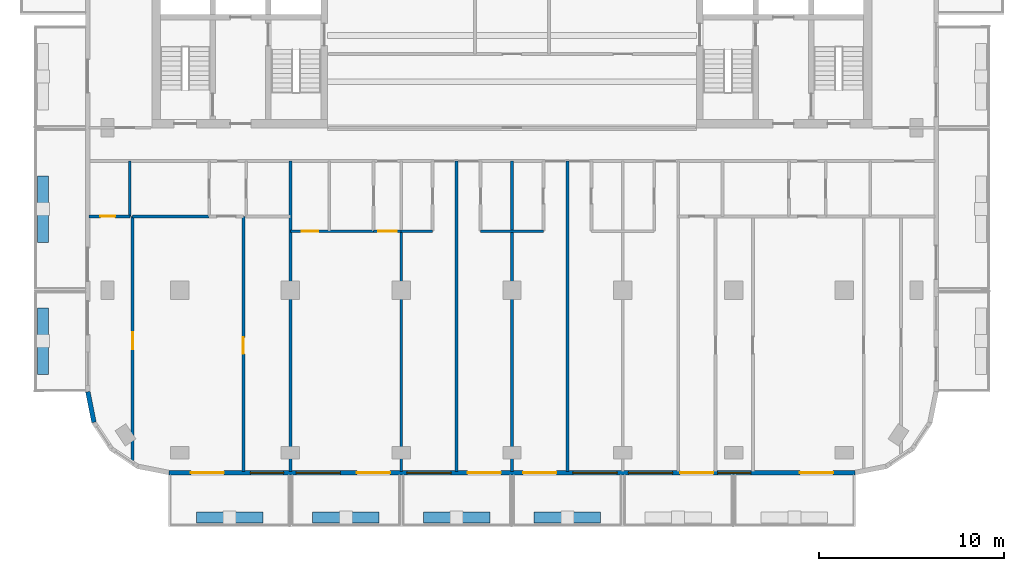
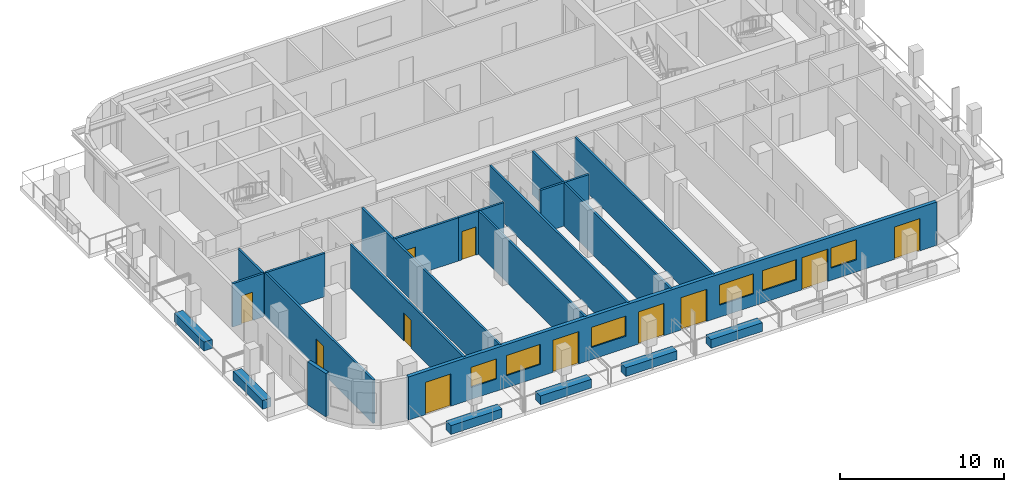
# One storey, part 2 of 11: 22 walls, 11 doors, 6 windows, 17 openings.
"""IFC4 building model written with IfcOpenShell, lengths in metres."""

from ifc_helpers import new_model, si_unit, direction, frame, frame_2d, origin, place, context, subcontext, project, spatial, rectangle, extrude, material, layer, layer_set, type_object, element, fill, save


model = new_model("IFC4")

# Units and contexts
model_context = context("Model", 3, precision=1e-05, world=origin(), true_north=direction((0.0, 1.0)))
body_context = subcontext(model_context, "Body", "Model", "MODEL_VIEW")
ifc_project = project(units=[si_unit("LENGTHUNIT", "METRE"), si_unit("AREAUNIT", "SQUARE_METRE"), si_unit("VOLUMEUNIT", "CUBIC_METRE"), si_unit("PLANEANGLEUNIT", "RADIAN"), si_unit("MASSUNIT", "GRAM", prefix="KILO")], contexts=[model_context])

# Site, building, storey
site_placement = place(None, origin())
site = spatial("IfcSite", under=ifc_project, at=site_placement, CompositionType="ELEMENT")
building_placement = place(site_placement, origin())
building = spatial("IfcBuilding", under=site, at=building_placement, Name="Torana Hotel and Residences", CompositionType="ELEMENT")
storey_placement = place(building_placement, frame((0.0, 0.0, 256.10009765625)))
storey = spatial("IfcBuildingStorey", under=building, at=storey_placement, Name="L67", CompositionType="ELEMENT", Elevation=256.10009765625)

# Wall
ifc_material_1 = material(Name="Black aluminium composite panel", Category="aluminium")
ifc_layer_1 = layer(ifc_material_1, 0.00390625, Name="Cladding", Category="cladding")
ifc_material_2 = material(Name="Ventilated air cavity")
ifc_layer_2 = layer(ifc_material_2, 0.0400390625, Name="Ventilated cavity", Category="cavity")
ifc_material_3 = material(Name="Mineral wool insulation")
ifc_layer_3 = layer(ifc_material_3, 0.090087890625, Name="Insulation", Category="insulation")
ifc_material_4 = material(Name="Steel S280GD", Category="steel")
ifc_layer_4 = layer(ifc_material_4, 0.092041015625, Name="Steel stud frame", Category="structure")
ifc_material_5 = material(Name="Fire rated plasterboard")
ifc_layer_5 = layer(ifc_material_5, 0.011962890625, Name="Inner board", Category="finish")
ifc_layer_6 = layer(ifc_material_5, 0.011962890625, Name="Second board", Category="finish")
ifc_layer_set_1 = layer_set([ifc_layer_1, ifc_layer_2, ifc_layer_3, ifc_layer_4, ifc_layer_5, ifc_layer_6], Name="EW1 EXTERNAL WALL BLACK METAL CLAD 250")
wall_type_1 = type_object("IfcWallType", Name="EW1 EXTERNAL WALL BLACK METAL CLAD 250", PredefinedType="SOLIDWALL", material=ifc_layer_set_1)
wall_1_placement = place(storey_placement, frame((-22.97265625, -29.2998046875, 0.0), z_axis=(0.0, 0.0, 1.0), x_axis=(0.19513878023, -0.980775640221, 0.0)))
element("IfcWall", 1, at=wall_1_placement, inside=storey, type_object=wall_type_1, Name="External wall L67 e0.10", PredefinedType="SOLIDWALL", context=body_context, shape_type="SweptSolid", body=[
    extrude(rectangle(XDim=1.681396484375, YDim=0.25, at=frame_2d((0.8408203125, 0.0))), origin(), (0.0, 0.0, 1.0), 3.219970703125),
])

# Wall, openings, doors, windows
wall_2_placement = place(storey_placement, frame((-18.575439453125, -33.675048828125, 0.0), z_axis=(0.0, 0.0, 1.0), x_axis=(1.0, 0.0, 0.0)))
wall_2 = element("IfcWall", 2, at=wall_2_placement, inside=storey, type_object=wall_type_1, Name="External wall L67 e0.14", PredefinedType="SOLIDWALL", context=body_context, shape_type="SweptSolid", body=[
    extrude(rectangle(XDim=37.15087890625, YDim=0.25, at=frame_2d((18.575439453125, 0.0))), origin(), (0.0, 0.0, 1.0), 3.219970703125),
])
opening_1_placement = place(wall_2_placement, frame((1.17529296875, 0.0, 0.0)))
opening_1 = element("IfcOpeningElement", 3, at=opening_1_placement, cuts=wall_2, Name="Opening L67-E01", PredefinedType="OPENING", context=body_context, shape_type="SweptSolid", body=[
    extrude(rectangle(XDim=1.800048828125, YDim=2.39990234375, at=frame_2d((0.89990234375, 1.199951171875))), frame((0.0, 0.135009765625, 0.0), z_axis=(0.0, -1.0, 0.0), x_axis=(1.0, 0.0, 0.0)), (0.0, 0.0, 1.0), 0.27001953125),
])
opening_2_placement = place(wall_2_placement, frame((4.400390625, 0.0, 0.89990234375)))
opening_2 = element("IfcOpeningElement", 4, at=opening_2_placement, cuts=wall_2, Name="Opening W4", PredefinedType="OPENING", context=body_context, shape_type="SweptSolid", body=[
    extrude(rectangle(XDim=1.800048828125, YDim=1.5, at=frame_2d((0.89990234375, 0.75))), frame((0.0, 0.135009765625, 0.0), z_axis=(0.0, -1.0, 0.0), x_axis=(1.0, 0.0, 0.0)), (0.0, 0.0, 1.0), 0.27001953125),
])
opening_3_placement = place(wall_2_placement, frame((6.87548828125, 0.0, 0.89990234375)))
opening_3 = element("IfcOpeningElement", 5, at=opening_3_placement, cuts=wall_2, Name="Opening W3", PredefinedType="OPENING", context=body_context, shape_type="SweptSolid", body=[
    extrude(rectangle(XDim=2.39990234375, YDim=1.5, at=frame_2d((1.199951171875, 0.75))), frame((0.0, 0.135009765625, 0.0), z_axis=(0.0, -1.0, 0.0), x_axis=(1.0, 0.0, 0.0)), (0.0, 0.0, 1.0), 0.27001953125),
])
opening_4_placement = place(wall_2_placement, frame((10.17529296875, 0.0, 0.0)))
opening_4 = element("IfcOpeningElement", 6, at=opening_4_placement, cuts=wall_2, Name="Opening L67-E02", PredefinedType="OPENING", context=body_context, shape_type="SweptSolid", body=[
    extrude(rectangle(XDim=1.800048828125, YDim=2.39990234375, at=frame_2d((0.89990234375, 1.199951171875))), frame((0.0, 0.135009765625, 0.0), z_axis=(0.0, -1.0, 0.0), x_axis=(1.0, 0.0, 0.0)), (0.0, 0.0, 1.0), 0.27001953125),
])
opening_5_placement = place(wall_2_placement, frame((12.87548828125, 0.0, 0.89990234375)))
opening_5 = element("IfcOpeningElement", 7, at=opening_5_placement, cuts=wall_2, Name="Opening W3", PredefinedType="OPENING", context=body_context, shape_type="SweptSolid", body=[
    extrude(rectangle(XDim=2.39990234375, YDim=1.5, at=frame_2d((1.199951171875, 0.75))), frame((0.0, 0.135009765625, 0.0), z_axis=(0.0, -1.0, 0.0), x_axis=(1.0, 0.0, 0.0)), (0.0, 0.0, 1.0), 0.27001953125),
])
opening_6_placement = place(wall_2_placement, frame((16.17529296875, 0.0, 0.0)))
opening_6 = element("IfcOpeningElement", 8, at=opening_6_placement, cuts=wall_2, Name="Opening L67-E03", PredefinedType="OPENING", context=body_context, shape_type="SweptSolid", body=[
    extrude(rectangle(XDim=1.800048828125, YDim=2.39990234375, at=frame_2d((0.89990234375, 1.199951171875))), frame((0.0, 0.135009765625, 0.0), z_axis=(0.0, -1.0, 0.0), x_axis=(1.0, 0.0, 0.0)), (0.0, 0.0, 1.0), 0.27001953125),
])
opening_7_placement = place(wall_2_placement, frame((19.17529296875, 0.0, 0.0)))
opening_7 = element("IfcOpeningElement", 9, at=opening_7_placement, cuts=wall_2, Name="Opening L67-E04", PredefinedType="OPENING", context=body_context, shape_type="SweptSolid", body=[
    extrude(rectangle(XDim=1.800048828125, YDim=2.39990234375, at=frame_2d((0.89990234375, 1.199951171875))), frame((0.0, 0.135009765625, 0.0), z_axis=(0.0, -1.0, 0.0), x_axis=(1.0, 0.0, 0.0)), (0.0, 0.0, 1.0), 0.27001953125),
])
opening_8_placement = place(wall_2_placement, frame((21.87548828125, 0.0, 0.89990234375)))
opening_8 = element("IfcOpeningElement", 10, at=opening_8_placement, cuts=wall_2, Name="Opening W3", PredefinedType="OPENING", context=body_context, shape_type="SweptSolid", body=[
    extrude(rectangle(XDim=2.39990234375, YDim=1.5, at=frame_2d((1.199951171875, 0.75))), frame((0.0, 0.135009765625, 0.0), z_axis=(0.0, -1.0, 0.0), x_axis=(1.0, 0.0, 0.0)), (0.0, 0.0, 1.0), 0.27001953125),
])
opening_9_placement = place(wall_2_placement, frame((24.87548828125, 0.0, 0.89990234375)))
opening_9 = element("IfcOpeningElement", 11, at=opening_9_placement, cuts=wall_2, Name="Opening W3", PredefinedType="OPENING", context=body_context, shape_type="SweptSolid", body=[
    extrude(rectangle(XDim=2.39990234375, YDim=1.5, at=frame_2d((1.199951171875, 0.75))), frame((0.0, 0.135009765625, 0.0), z_axis=(0.0, -1.0, 0.0), x_axis=(1.0, 0.0, 0.0)), (0.0, 0.0, 1.0), 0.27001953125),
])
opening_10_placement = place(wall_2_placement, frame((27.6875, 0.0, 0.0)))
opening_10 = element("IfcOpeningElement", 12, at=opening_10_placement, cuts=wall_2, Name="Opening L67-E05", PredefinedType="OPENING", context=body_context, shape_type="SweptSolid", body=[
    extrude(rectangle(XDim=1.800048828125, YDim=2.39990234375, at=frame_2d((0.89990234375, 1.199951171875))), frame((0.0, 0.135009765625, 0.0), z_axis=(0.0, -1.0, 0.0), x_axis=(1.0, 0.0, 0.0)), (0.0, 0.0, 1.0), 0.27001953125),
])
opening_11_placement = place(wall_2_placement, frame((29.71337890625, 0.0, 0.89990234375)))
opening_11 = element("IfcOpeningElement", 13, at=opening_11_placement, cuts=wall_2, Name="Opening W4", PredefinedType="OPENING", context=body_context, shape_type="SweptSolid", body=[
    extrude(rectangle(XDim=1.800048828125, YDim=1.5, at=frame_2d((0.89990234375, 0.75))), frame((0.0, 0.135009765625, 0.0), z_axis=(0.0, -1.0, 0.0), x_axis=(1.0, 0.0, 0.0)), (0.0, 0.0, 1.0), 0.27001953125),
])
opening_12_placement = place(wall_2_placement, frame((34.17529296875, 0.0, 0.0)))
opening_12 = element("IfcOpeningElement", 14, at=opening_12_placement, cuts=wall_2, Name="Opening L67-E06", PredefinedType="OPENING", context=body_context, shape_type="SweptSolid", body=[
    extrude(rectangle(XDim=1.800048828125, YDim=2.39990234375, at=frame_2d((0.89990234375, 1.199951171875))), frame((0.0, 0.135009765625, 0.0), z_axis=(0.0, -1.0, 0.0), x_axis=(1.0, 0.0, 0.0)), (0.0, 0.0, 1.0), 0.27001953125),
])
ifc_material_6 = material(Name="Dark glass in black aluminium frame", Category="aluminium")
door_type_1 = type_object("IfcDoorType", Name="DB1 BALCONY DOOR 1800x2400", OperationType="DOUBLE_DOOR_SINGLE_SWING", PredefinedType="DOOR", material=ifc_material_6)
door_1_placement = place(opening_1_placement, origin())
door_1 = element("IfcDoor", 15, at=door_1_placement, inside=storey, type_object=door_type_1, Name="Balcony door L67", OperationType="DOUBLE_DOOR_SINGLE_SWING", OverallHeight=2.39990234375, OverallWidth=1.800048828125, PredefinedType="DOOR", context=body_context, shape_type="SweptSolid", body=[
    extrude(rectangle(XDim=1.800048828125, YDim=2.39990234375, at=frame_2d((0.89990234375, 1.199951171875))), frame((0.0, 0.02490234375, 0.0), z_axis=(0.0, -1.0, 0.0), x_axis=(1.0, 0.0, 0.0)), (0.0, 0.0, 1.0), 0.050048828125),
])
fill(opening_1, door_1)
door_2_placement = place(opening_4_placement, origin())
door_2 = element("IfcDoor", 16, at=door_2_placement, inside=storey, type_object=door_type_1, Name="Balcony door L67", OperationType="DOUBLE_DOOR_SINGLE_SWING", OverallHeight=2.39990234375, OverallWidth=1.800048828125, PredefinedType="DOOR", context=body_context, shape_type="SweptSolid", body=[
    extrude(rectangle(XDim=1.800048828125, YDim=2.39990234375, at=frame_2d((0.89990234375, 1.199951171875))), frame((0.0, 0.02490234375, 0.0), z_axis=(0.0, -1.0, 0.0), x_axis=(1.0, 0.0, 0.0)), (0.0, 0.0, 1.0), 0.050048828125),
])
fill(opening_4, door_2)
door_3_placement = place(opening_6_placement, origin())
door_3 = element("IfcDoor", 17, at=door_3_placement, inside=storey, type_object=door_type_1, Name="Balcony door L67", OperationType="DOUBLE_DOOR_SINGLE_SWING", OverallHeight=2.39990234375, OverallWidth=1.800048828125, PredefinedType="DOOR", context=body_context, shape_type="SweptSolid", body=[
    extrude(rectangle(XDim=1.800048828125, YDim=2.39990234375, at=frame_2d((0.89990234375, 1.199951171875))), frame((0.0, 0.02490234375, 0.0), z_axis=(0.0, -1.0, 0.0), x_axis=(1.0, 0.0, 0.0)), (0.0, 0.0, 1.0), 0.050048828125),
])
fill(opening_6, door_3)
door_4_placement = place(opening_7_placement, origin())
door_4 = element("IfcDoor", 18, at=door_4_placement, inside=storey, type_object=door_type_1, Name="Balcony door L67", OperationType="DOUBLE_DOOR_SINGLE_SWING", OverallHeight=2.39990234375, OverallWidth=1.800048828125, PredefinedType="DOOR", context=body_context, shape_type="SweptSolid", body=[
    extrude(rectangle(XDim=1.800048828125, YDim=2.39990234375, at=frame_2d((0.89990234375, 1.199951171875))), frame((0.0, 0.02490234375, 0.0), z_axis=(0.0, -1.0, 0.0), x_axis=(1.0, 0.0, 0.0)), (0.0, 0.0, 1.0), 0.050048828125),
])
fill(opening_7, door_4)
door_5_placement = place(opening_10_placement, origin())
door_5 = element("IfcDoor", 19, at=door_5_placement, inside=storey, type_object=door_type_1, Name="Balcony door L67", OperationType="DOUBLE_DOOR_SINGLE_SWING", OverallHeight=2.39990234375, OverallWidth=1.800048828125, PredefinedType="DOOR", context=body_context, shape_type="SweptSolid", body=[
    extrude(rectangle(XDim=1.800048828125, YDim=2.39990234375, at=frame_2d((0.89990234375, 1.199951171875))), frame((0.0, 0.02490234375, 0.0), z_axis=(0.0, -1.0, 0.0), x_axis=(1.0, 0.0, 0.0)), (0.0, 0.0, 1.0), 0.050048828125),
])
fill(opening_10, door_5)
door_6_placement = place(opening_12_placement, origin())
door_6 = element("IfcDoor", 20, at=door_6_placement, inside=storey, type_object=door_type_1, Name="Balcony door L67", OperationType="DOUBLE_DOOR_SINGLE_SWING", OverallHeight=2.39990234375, OverallWidth=1.800048828125, PredefinedType="DOOR", context=body_context, shape_type="SweptSolid", body=[
    extrude(rectangle(XDim=1.800048828125, YDim=2.39990234375, at=frame_2d((0.89990234375, 1.199951171875))), frame((0.0, 0.02490234375, 0.0), z_axis=(0.0, -1.0, 0.0), x_axis=(1.0, 0.0, 0.0)), (0.0, 0.0, 1.0), 0.050048828125),
])
fill(opening_12, door_6)
ifc_material_7 = material(Name="Dark glass in black aluminium frame", Category="aluminium")
window_type_1 = type_object("IfcWindowType", Name="W3 RESIDENCE WINDOW 2400x1500", PartitioningType="SINGLE_PANEL", PredefinedType="WINDOW", material=ifc_material_7)
window_1_placement = place(opening_3_placement, origin())
window_1 = element("IfcWindow", 21, at=window_1_placement, inside=storey, type_object=window_type_1, Name="Window L67", OverallHeight=1.5, OverallWidth=2.39990234375, PartitioningType="SINGLE_PANEL", PredefinedType="WINDOW", context=body_context, shape_type="SweptSolid", body=[
    extrude(rectangle(XDim=2.39990234375, YDim=1.5, at=frame_2d((1.199951171875, 0.75))), frame((0.0, 0.030029296875, 0.0), z_axis=(0.0, -1.0, 0.0), x_axis=(1.0, 0.0, 0.0)), (0.0, 0.0, 1.0), 0.06005859375),
])
fill(opening_3, window_1)
window_2_placement = place(opening_5_placement, origin())
window_2 = element("IfcWindow", 22, at=window_2_placement, inside=storey, type_object=window_type_1, Name="Window L67", OverallHeight=1.5, OverallWidth=2.39990234375, PartitioningType="SINGLE_PANEL", PredefinedType="WINDOW", context=body_context, shape_type="SweptSolid", body=[
    extrude(rectangle(XDim=2.39990234375, YDim=1.5, at=frame_2d((1.199951171875, 0.75))), frame((0.0, 0.030029296875, 0.0), z_axis=(0.0, -1.0, 0.0), x_axis=(1.0, 0.0, 0.0)), (0.0, 0.0, 1.0), 0.06005859375),
])
fill(opening_5, window_2)
window_3_placement = place(opening_8_placement, origin())
window_3 = element("IfcWindow", 23, at=window_3_placement, inside=storey, type_object=window_type_1, Name="Window L67", OverallHeight=1.5, OverallWidth=2.39990234375, PartitioningType="SINGLE_PANEL", PredefinedType="WINDOW", context=body_context, shape_type="SweptSolid", body=[
    extrude(rectangle(XDim=2.39990234375, YDim=1.5, at=frame_2d((1.199951171875, 0.75))), frame((0.0, 0.030029296875, 0.0), z_axis=(0.0, -1.0, 0.0), x_axis=(1.0, 0.0, 0.0)), (0.0, 0.0, 1.0), 0.06005859375),
])
fill(opening_8, window_3)
window_4_placement = place(opening_9_placement, origin())
window_4 = element("IfcWindow", 24, at=window_4_placement, inside=storey, type_object=window_type_1, Name="Window L67", OverallHeight=1.5, OverallWidth=2.39990234375, PartitioningType="SINGLE_PANEL", PredefinedType="WINDOW", context=body_context, shape_type="SweptSolid", body=[
    extrude(rectangle(XDim=2.39990234375, YDim=1.5, at=frame_2d((1.199951171875, 0.75))), frame((0.0, 0.030029296875, 0.0), z_axis=(0.0, -1.0, 0.0), x_axis=(1.0, 0.0, 0.0)), (0.0, 0.0, 1.0), 0.06005859375),
])
fill(opening_9, window_4)
ifc_material_8 = material(Name="Dark glass in black aluminium frame", Category="aluminium")
window_type_2 = type_object("IfcWindowType", Name="W4 RESIDENCE WINDOW NARROW 1800x1500", PartitioningType="SINGLE_PANEL", PredefinedType="WINDOW", material=ifc_material_8)
window_5_placement = place(opening_2_placement, origin())
window_5 = element("IfcWindow", 25, at=window_5_placement, inside=storey, type_object=window_type_2, Name="Window L67", OverallHeight=1.5, OverallWidth=1.800048828125, PartitioningType="SINGLE_PANEL", PredefinedType="WINDOW", context=body_context, shape_type="SweptSolid", body=[
    extrude(rectangle(XDim=1.800048828125, YDim=1.5, at=frame_2d((0.89990234375, 0.75))), frame((0.0, 0.030029296875, 0.0), z_axis=(0.0, -1.0, 0.0), x_axis=(1.0, 0.0, 0.0)), (0.0, 0.0, 1.0), 0.06005859375),
])
fill(opening_2, window_5)
window_6_placement = place(opening_11_placement, origin())
window_6 = element("IfcWindow", 26, at=window_6_placement, inside=storey, type_object=window_type_2, Name="Window L67", OverallHeight=1.5, OverallWidth=1.800048828125, PartitioningType="SINGLE_PANEL", PredefinedType="WINDOW", context=body_context, shape_type="SweptSolid", body=[
    extrude(rectangle(XDim=1.800048828125, YDim=1.5, at=frame_2d((0.89990234375, 0.75))), frame((0.0, 0.030029296875, 0.0), z_axis=(0.0, -1.0, 0.0), x_axis=(1.0, 0.0, 0.0)), (0.0, 0.0, 1.0), 0.06005859375),
])
fill(opening_11, window_6)

# Wall, opening, door
ifc_material_9 = material(Name="Gypsum plaster")
ifc_layer_7 = layer(ifc_material_9, 0.014892578125, Name="Plaster", Category="finish")
ifc_material_10 = material(Name="Concrete blockwork", Category="masonry")
ifc_layer_8 = layer(ifc_material_10, 0.1201171875, Name="Blockwork", Category="structure")
ifc_layer_9 = layer(ifc_material_9, 0.014892578125, Name="Plaster", Category="finish")
ifc_layer_set_2 = layer_set([ifc_layer_7, ifc_layer_8, ifc_layer_9], Name="FIRE PARTITION 150 BLOCKWORK")
wall_type_2 = type_object("IfcWallType", Name="FIRE PARTITION 150 BLOCKWORK", PredefinedType="PARTITIONING", material=ifc_layer_set_2)
wall_3_placement = place(storey_placement, frame((-7.5, -20.60009765625, 0.0), z_axis=(0.0, 0.0, 1.0), x_axis=(1.0, 0.0, 0.0)))
wall_3 = element("IfcWall", 27, at=wall_3_placement, inside=storey, type_object=wall_type_2, Name="Partition L67", PredefinedType="PARTITIONING", context=body_context, shape_type="SweptSolid", body=[
    extrude(rectangle(XDim=1.5, YDim=0.14990234375, at=frame_2d((0.75, 0.0))), origin(), (0.0, 0.0, 1.0), 3.219970703125),
])
opening_13_placement = place(wall_3_placement, frame((0.25, 0.0, 0.0)))
opening_13 = element("IfcOpeningElement", 28, at=opening_13_placement, cuts=wall_3, Name="Opening L67-41", PredefinedType="OPENING", context=body_context, shape_type="SweptSolid", body=[
    extrude(rectangle(XDim=1.0, YDim=2.10009765625, at=frame_2d((0.5, 1.050048828125))), frame((0.0, 0.0849609375, 0.0), z_axis=(0.0, -1.0, 0.0), x_axis=(1.0, 0.0, 0.0)), (0.0, 0.0, 1.0), 0.169921875),
])
ifc_material_11 = material(Name="Steel S235", Category="steel")
door_type_2 = type_object("IfcDoorType", Name="ENTRY FIRE DOOR D6 1000x2100", OperationType="SINGLE_SWING_LEFT", PredefinedType="DOOR", material=ifc_material_11)
door_7_placement = place(opening_13_placement, frame((0.5, 0.0, 0.0), z_axis=(0.0, 0.0, 1.0), x_axis=(-1.0, 0.0, 0.0)))
door_7 = element("IfcDoor", 29, at=door_7_placement, inside=storey, type_object=door_type_2, Name="Door L67", OperationType="SINGLE_SWING_RIGHT", OverallHeight=2.10009765625, OverallWidth=1.0, PredefinedType="DOOR", context=body_context, shape_type="SweptSolid", body=[
    extrude(rectangle(XDim=1.0, YDim=2.10009765625, at=frame_2d((0.0, 1.050048828125))), frame((0.0, -0.02490234375, 0.0), z_axis=(0.0, 1.0, 0.0), x_axis=(-1.0, 0.0, 0.0)), (0.0, 0.0, 1.0), 0.050048828125),
])
fill(opening_13, door_7)

# Walls
ifc_material_12 = material(Name="Gypsum plasterboard")
ifc_layer_10 = layer(ifc_material_12, 0.012451171875, Name="Plasterboard", Category="finish")
ifc_layer_11 = layer(ifc_material_12, 0.012451171875, Name="Plasterboard", Category="finish")
ifc_layer_12 = layer(ifc_material_4, 0.10009765625, Name="Steel studs with mineral wool", Category="insulation")
ifc_layer_13 = layer(ifc_material_12, 0.012451171875, Name="Plasterboard", Category="finish")
ifc_layer_14 = layer(ifc_material_12, 0.012451171875, Name="Plasterboard", Category="finish")
ifc_layer_set_3 = layer_set([ifc_layer_10, ifc_layer_11, ifc_layer_12, ifc_layer_13, ifc_layer_14], Name="PARTITION 150 PLASTERBOARD")
wall_type_3 = type_object("IfcWallType", Name="PARTITION 150 PLASTERBOARD", PredefinedType="PARTITIONING", material=ifc_layer_set_3)
for number, where, z_axis, x_axis, name in (
    (30, (3.0, -33.6201171875, 0.0), (0.0, 0.0, 1.0), (0.0, 1.0, 0.0), "Partition L67"),
    (31, (0.0, -33.6201171875, 0.0), (0.0, 0.0, 1.0), (0.0, 1.0, 0.0), "Partition L67"),
    (32, (-3.0, -33.6201171875, 0.0), (0.0, 0.0, 1.0), (0.0, 1.0, 0.0), "Partition L67"),
):
    element("IfcWall", number, at=place(storey_placement, frame(where, z_axis=z_axis, x_axis=x_axis)), inside=storey, type_object=wall_type_3, Name=name, PredefinedType="PARTITIONING", context=body_context, shape_type="SweptSolid", body=[
        extrude(rectangle(XDim=16.820068359375, YDim=0.14990234375, at=frame_2d((8.41015625, 0.0))), origin(), (0.0, 0.0, 1.0), 3.219970703125),
    ])
wall_4_placement = place(storey_placement, frame((-6.0, -33.6201171875, 0.0), z_axis=(0.0, 0.0, 1.0), x_axis=(0.0, 1.0, 0.0)))
element("IfcWall", 33, at=wall_4_placement, inside=storey, type_object=wall_type_3, Name="Partition L67", PredefinedType="PARTITIONING", context=body_context, shape_type="SweptSolid", body=[
    extrude(rectangle(XDim=13.02001953125, YDim=0.14990234375, at=frame_2d((6.510009765625, 0.0))), origin(), (0.0, 0.0, 1.0), 3.219970703125),
])
wall_5_placement = place(storey_placement, frame((-12.0, -33.6201171875, 0.0), z_axis=(0.0, 0.0, 1.0), x_axis=(0.0, 1.0, 0.0)))
element("IfcWall", 34, at=wall_5_placement, inside=storey, type_object=wall_type_3, Name="Partition L67", PredefinedType="PARTITIONING", context=body_context, shape_type="SweptSolid", body=[
    extrude(rectangle(XDim=16.820068359375, YDim=0.14990234375, at=frame_2d((8.41015625, 0.0))), origin(), (0.0, 0.0, 1.0), 3.219970703125),
])

# Wall, opening, door
wall_6_placement = place(storey_placement, frame((-14.550048828125, -33.6201171875, 0.0), z_axis=(0.0, 0.0, 1.0), x_axis=(0.0, 1.0, 0.0)))
wall_6 = element("IfcWall", 35, at=wall_6_placement, inside=storey, type_object=wall_type_3, Name="Partition L67", PredefinedType="PARTITIONING", context=body_context, shape_type="SweptSolid", body=[
    extrude(rectangle(XDim=13.820068359375, YDim=0.14990234375, at=frame_2d((6.91015625, 0.0))), origin(), (0.0, 0.0, 1.0), 3.219970703125),
])
opening_14_placement = place(wall_6_placement, frame((6.3701171875, 0.0, 0.0)))
opening_14 = element("IfcOpeningElement", 36, at=opening_14_placement, cuts=wall_6, Name="Opening L67-51", PredefinedType="OPENING", context=body_context, shape_type="SweptSolid", body=[
    extrude(rectangle(XDim=0.89990234375, YDim=2.10009765625, at=frame_2d((0.449951171875, 1.050048828125))), frame((0.0, 0.0849609375, 0.0), z_axis=(0.0, -1.0, 0.0), x_axis=(1.0, 0.0, 0.0)), (0.0, 0.0, 1.0), 0.169921875),
])
ifc_material_13 = material(Name="Timber door, oiled ash", Category="wood")
door_type_3 = type_object("IfcDoorType", Name="ROOM DOOR D7 900x2100", OperationType="SINGLE_SWING_LEFT", PredefinedType="DOOR", material=ifc_material_13)
door_8_placement = place(opening_14_placement, origin())
door_8 = element("IfcDoor", 37, at=door_8_placement, inside=storey, type_object=door_type_3, Name="Door L67", OperationType="SINGLE_SWING_RIGHT", OverallHeight=2.10009765625, OverallWidth=0.89990234375, PredefinedType="DOOR", context=body_context, shape_type="SweptSolid", body=[
    extrude(rectangle(XDim=0.89990234375, YDim=2.10009765625, at=frame_2d((0.449951171875, 1.050048828125))), frame((0.0, 0.02490234375, 0.0), z_axis=(0.0, -1.0, 0.0), x_axis=(1.0, 0.0, 0.0)), (0.0, 0.0, 1.0), 0.050048828125),
])
fill(opening_14, door_8)

wall_7_placement = place(storey_placement, frame((-20.550048828125, -33.0166015625, 0.0), z_axis=(0.0, 0.0, 1.0), x_axis=(0.0, 1.0, 0.0)))
wall_7 = element("IfcWall", 38, at=wall_7_placement, inside=storey, type_object=wall_type_3, Name="Partition L67", PredefinedType="PARTITIONING", context=body_context, shape_type="SweptSolid", body=[
    extrude(rectangle(XDim=13.216552734375, YDim=0.14990234375, at=frame_2d((6.6083984375, 0.0))), origin(), (0.0, 0.0, 1.0), 3.219970703125),
])
opening_15_placement = place(wall_7_placement, frame((6.031494140625, 0.0, 0.0)))
opening_15 = element("IfcOpeningElement", 39, at=opening_15_placement, cuts=wall_7, Name="Opening L67-52", PredefinedType="OPENING", context=body_context, shape_type="SweptSolid", body=[
    extrude(rectangle(XDim=0.89990234375, YDim=2.10009765625, at=frame_2d((0.449951171875, 1.050048828125))), frame((0.0, 0.0849609375, 0.0), z_axis=(0.0, -1.0, 0.0), x_axis=(1.0, 0.0, 0.0)), (0.0, 0.0, 1.0), 0.169921875),
])
door_9_placement = place(opening_15_placement, origin())
door_9 = element("IfcDoor", 40, at=door_9_placement, inside=storey, type_object=door_type_3, Name="Door L67", OperationType="SINGLE_SWING_RIGHT", OverallHeight=2.10009765625, OverallWidth=0.89990234375, PredefinedType="DOOR", context=body_context, shape_type="SweptSolid", body=[
    extrude(rectangle(XDim=0.89990234375, YDim=2.10009765625, at=frame_2d((0.449951171875, 1.050048828125))), frame((0.0, 0.02490234375, 0.0), z_axis=(0.0, -1.0, 0.0), x_axis=(1.0, 0.0, 0.0)), (0.0, 0.0, 1.0), 0.050048828125),
])
fill(opening_15, door_9)

# Wall
wall_8_placement = place(storey_placement, frame((-20.699951171875, -19.800048828125, 0.0), z_axis=(0.0, 0.0, 1.0), x_axis=(0.0, 1.0, 0.0)))
element("IfcWall", 41, at=wall_8_placement, inside=storey, type_object=wall_type_3, Name="Partition L67", PredefinedType="PARTITIONING", context=body_context, shape_type="SweptSolid", body=[
    extrude(rectangle(XDim=3.0, YDim=0.14990234375, at=frame_2d((1.5, 0.0))), origin(), (0.0, 0.0, 1.0), 3.219970703125),
])

# Wall, opening, door
wall_9_placement = place(storey_placement, frame((-12.0, -20.60009765625, 0.0), z_axis=(0.0, 0.0, 1.0), x_axis=(1.0, 0.0, 0.0)))
wall_9 = element("IfcWall", 42, at=wall_9_placement, inside=storey, type_object=wall_type_3, Name="Partition L67", PredefinedType="PARTITIONING", context=body_context, shape_type="SweptSolid", body=[
    extrude(rectangle(XDim=4.5, YDim=0.14990234375, at=frame_2d((2.25, 0.0))), origin(), (0.0, 0.0, 1.0), 3.219970703125),
])
opening_16_placement = place(wall_9_placement, frame((0.60009765625, 0.0, 0.0)))
opening_16 = element("IfcOpeningElement", 43, at=opening_16_placement, cuts=wall_9, Name="Opening L67-39", PredefinedType="OPENING", context=body_context, shape_type="SweptSolid", body=[
    extrude(rectangle(XDim=0.89990234375, YDim=2.10009765625, at=frame_2d((0.449951171875, 1.050048828125))), frame((0.0, 0.0849609375, 0.0), z_axis=(0.0, -1.0, 0.0), x_axis=(1.0, 0.0, 0.0)), (0.0, 0.0, 1.0), 0.169921875),
])
door_10_placement = place(opening_16_placement, origin())
door_10 = element("IfcDoor", 44, at=door_10_placement, inside=storey, type_object=door_type_3, Name="Door L67", OperationType="SINGLE_SWING_RIGHT", OverallHeight=2.10009765625, OverallWidth=0.89990234375, PredefinedType="DOOR", context=body_context, shape_type="SweptSolid", body=[
    extrude(rectangle(XDim=0.89990234375, YDim=2.10009765625, at=frame_2d((0.449951171875, 1.050048828125))), frame((0.0, 0.02490234375, 0.0), z_axis=(0.0, -1.0, 0.0), x_axis=(1.0, 0.0, 0.0)), (0.0, 0.0, 1.0), 0.050048828125),
])
fill(opening_16, door_10)

# Walls
wall_10_placement = place(storey_placement, frame((-6.0, -20.60009765625, 0.0), z_axis=(0.0, 0.0, 1.0), x_axis=(1.0, 0.0, 0.0)))
element("IfcWall", 45, at=wall_10_placement, inside=storey, type_object=wall_type_3, Name="Partition L67", PredefinedType="PARTITIONING", context=body_context, shape_type="SweptSolid", body=[
    extrude(rectangle(XDim=1.699951171875, YDim=0.14990234375, at=frame_2d((0.85009765625, 0.0))), origin(), (0.0, 0.0, 1.0), 3.219970703125),
])
wall_11_placement = place(storey_placement, frame((-1.699951171875, -20.60009765625, 0.0), z_axis=(0.0, 0.0, 1.0), x_axis=(1.0, 0.0, 0.0)))
element("IfcWall", 46, at=wall_11_placement, inside=storey, type_object=wall_type_3, Name="Partition L67", PredefinedType="PARTITIONING", context=body_context, shape_type="SweptSolid", body=[
    extrude(rectangle(XDim=3.39990234375, YDim=0.14990234375, at=frame_2d((1.699951171875, 0.0))), origin(), (0.0, 0.0, 1.0), 3.219970703125),
])

# Wall, opening, door
wall_12_placement = place(storey_placement, frame((-22.919921875, -19.800048828125, 0.0), z_axis=(0.0, 0.0, 1.0), x_axis=(1.0, 0.0, 0.0)))
wall_12 = element("IfcWall", 47, at=wall_12_placement, inside=storey, type_object=wall_type_3, Name="Partition L67", PredefinedType="PARTITIONING", context=body_context, shape_type="SweptSolid", body=[
    extrude(rectangle(XDim=2.219970703125, YDim=0.14990234375, at=frame_2d((1.10986328125, 0.0))), origin(), (0.0, 0.0, 1.0), 3.219970703125),
])
opening_17_placement = place(wall_12_placement, frame((0.6201171875, 0.0, 0.0)))
opening_17 = element("IfcOpeningElement", 48, at=opening_17_placement, cuts=wall_12, Name="Opening L67-50", PredefinedType="OPENING", context=body_context, shape_type="SweptSolid", body=[
    extrude(rectangle(XDim=0.800048828125, YDim=2.10009765625, at=frame_2d((0.39990234375, 1.050048828125))), frame((0.0, 0.0849609375, 0.0), z_axis=(0.0, -1.0, 0.0), x_axis=(1.0, 0.0, 0.0)), (0.0, 0.0, 1.0), 0.169921875),
])
ifc_material_14 = material(Name="Timber door, painted", Category="wood")
door_type_4 = type_object("IfcDoorType", Name="BATH DOOR D13 800x2100", OperationType="SINGLE_SWING_LEFT", PredefinedType="DOOR", material=ifc_material_14)
door_11_placement = place(opening_17_placement, origin())
door_11 = element("IfcDoor", 49, at=door_11_placement, inside=storey, type_object=door_type_4, Name="Door L67", OperationType="SINGLE_SWING_RIGHT", OverallHeight=2.10009765625, OverallWidth=0.800048828125, PredefinedType="DOOR", context=body_context, shape_type="SweptSolid", body=[
    extrude(rectangle(XDim=0.800048828125, YDim=2.10009765625, at=frame_2d((0.39990234375, 1.050048828125))), frame((0.0, 0.02490234375, 0.0), z_axis=(0.0, -1.0, 0.0), x_axis=(1.0, 0.0, 0.0)), (0.0, 0.0, 1.0), 0.050048828125),
])
fill(opening_17, door_11)

# Walls
wall_13_placement = place(storey_placement, frame((-20.550048828125, -19.800048828125, 0.0), z_axis=(0.0, 0.0, 1.0), x_axis=(1.0, 0.0, 0.0)))
element("IfcWall", 50, at=wall_13_placement, inside=storey, type_object=wall_type_3, Name="Partition L67", PredefinedType="PARTITIONING", context=body_context, shape_type="SweptSolid", body=[
    extrude(rectangle(XDim=4.150146484375, YDim=0.14990234375, at=frame_2d((2.0751953125, 0.0))), origin(), (0.0, 0.0, 1.0), 3.219970703125),
])
ifc_material_15 = material(Name="Concrete C40/50 precast", Category="concrete")
ifc_layer_15 = layer(ifc_material_15, 0.10009765625, Name="Planter shell", Category="structure")
ifc_material_16 = material(Name="Root resistant membrane")
ifc_layer_16 = layer(ifc_material_16, 0.00390625, Name="Waterproofing membrane", Category="membrane")
ifc_material_17 = material(Name="Drainage board with filter fleece")
ifc_layer_17 = layer(ifc_material_17, 0.02001953125, Name="Drainage board", Category="drainage")
ifc_material_18 = material(Name="Growing medium")
ifc_layer_18 = layer(ifc_material_18, 0.47607421875, Name="Planting substrate", Category="soil")
ifc_layer_set_4 = layer_set([ifc_layer_15, ifc_layer_16, ifc_layer_17, ifc_layer_18], Name="PL1 BALCONY PLANTER 600")
wall_type_4 = type_object("IfcWallType", Name="PL1 BALCONY PLANTER 600", PredefinedType="USERDEFINED", material=ifc_layer_set_4)
for number, where, z_axis, x_axis, name in (
    (51, (-13.5, -36.10009765625, 0.0), (0.0, 0.0, 1.0), (-1.0, 0.0, 0.0), "Planter 01"),
    (52, (-7.199951171875, -36.10009765625, 0.0), (0.0, 0.0, 1.0), (-1.0, 0.0, 0.0), "Planter 02"),
    (53, (-1.199951171875, -36.10009765625, 0.0), (0.0, 0.0, 1.0), (-1.0, 0.0, 0.0), "Planter 03"),
    (54, (4.800048828125, -36.10009765625, 0.0), (0.0, 0.0, 1.0), (-1.0, 0.0, 0.0), "Planter 04"),
    (55, (-25.39990234375, -28.35009765625, 0.0), (0.0, 0.0, 1.0), (0.0, 1.0, 0.0), "Planter 07"),
):
    element("IfcWall", number, at=place(storey_placement, frame(where, z_axis=z_axis, x_axis=x_axis)), inside=storey, type_object=wall_type_4, Name=name, ObjectType="PLANTER", PredefinedType="USERDEFINED", context=body_context, shape_type="SweptSolid", body=[
        extrude(rectangle(XDim=3.60009765625, YDim=0.60009765625, at=frame_2d((1.800048828125, 0.0))), origin(), (0.0, 0.0, 1.0), 0.64990234375),
    ])
wall_14_placement = place(storey_placement, frame((-25.39990234375, -21.199951171875, 0.0), z_axis=(0.0, 0.0, 1.0), x_axis=(0.0, 1.0, 0.0)))
element("IfcWall", 56, at=wall_14_placement, inside=storey, type_object=wall_type_4, Name="Planter 08", ObjectType="PLANTER", PredefinedType="USERDEFINED", context=body_context, shape_type="SweptSolid", body=[
    extrude(rectangle(XDim=3.599853515625, YDim=0.60009765625, at=frame_2d((1.7998046875, 0.0))), origin(), (0.0, 0.0, 1.0), 0.64990234375),
])

save(model, "model.ifc")
